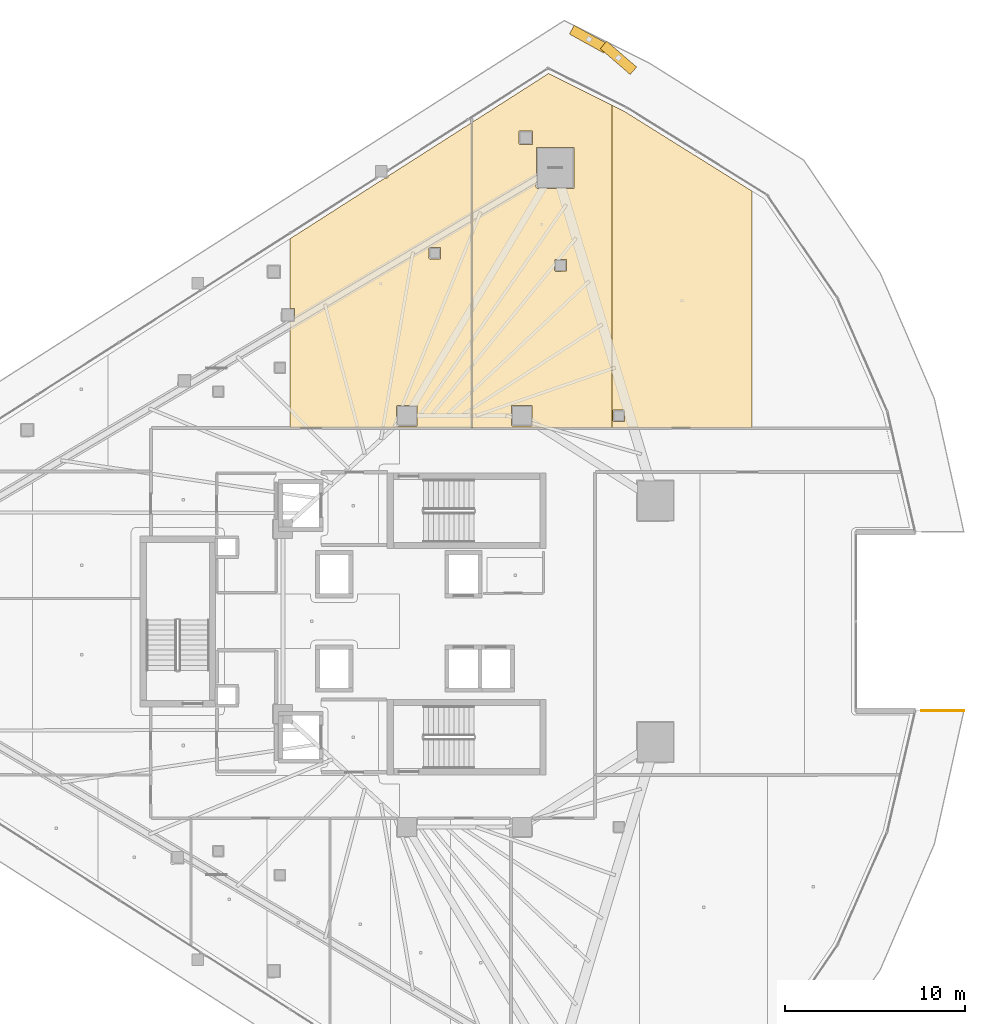
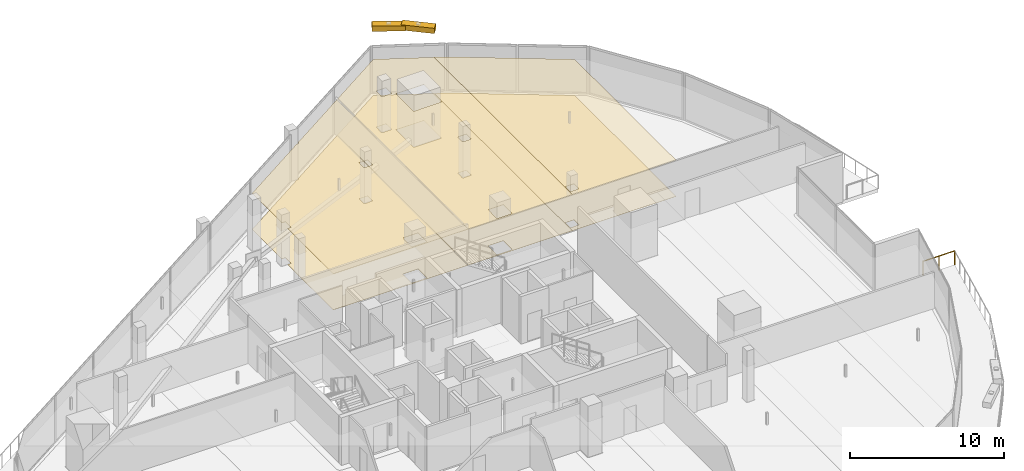
# One storey, part 45 of 45: 6 coverings, 2 shading devices, 1 railing.
"""IFC4 building model written with IfcOpenShell, lengths in metres."""

from ifc_helpers import new_model, si_unit, direction, frame, origin, origin_2d, place, context, subcontext, project, spatial, polyline, rectangle, circle, outline, extrude, material, layer, layer_set, type_object, element, save


model = new_model("IFC4")

# Units and contexts
model_context = context("Model", 3, precision=1e-05, world=origin(), true_north=direction((0.0, 1.0)))
body_context = subcontext(model_context, "Body", "Model", "MODEL_VIEW")
ifc_project = project(units=[si_unit("LENGTHUNIT", "METRE"), si_unit("AREAUNIT", "SQUARE_METRE"), si_unit("VOLUMEUNIT", "CUBIC_METRE"), si_unit("PLANEANGLEUNIT", "RADIAN"), si_unit("MASSUNIT", "GRAM", prefix="KILO")], contexts=[model_context])

# Site, building, storey
site_placement = place(None, origin())
site = spatial("IfcSite", under=ifc_project, at=site_placement, CompositionType="ELEMENT")
building_placement = place(site_placement, origin())
building = spatial("IfcBuilding", under=site, at=building_placement, Name="Qorvath Tower", CompositionType="ELEMENT")
storey_placement = place(building_placement, frame((0.0, 0.0, 126.0)))
storey = spatial("IfcBuildingStorey", under=building, at=storey_placement, Name="L28", CompositionType="ELEMENT", Elevation=126.0)

# Coverings
ifc_material_1 = material(Name="Acoustic mineral fibre ceiling tile", Category="gypsum")
ifc_layer_1 = layer(ifc_material_1, 0.030029296875)
ifc_layer_set_1 = layer_set([ifc_layer_1], Name="COV-CEIL")
covering_type_1 = type_object("IfcCoveringType", Name="COV-CEIL", PredefinedType="CEILING", material=ifc_layer_set_1)
covering_1_placement = place(storey_placement, frame((0.0, 0.0, 2.85009765625)))
element("IfcCovering", 1, at=covering_1_placement, inside=storey, type_object=covering_type_1, Name="L28 Suspended Acoustic Ceiling 011", PredefinedType="CEILING", context=body_context, shape_type="SweptSolid", body=[
    extrude(outline(polyline([(-19.99755859375, 10.762939453125), (-19.99755859375, 27.763671875), (-24.652587890625, 24.78857421875), (-24.670166015625, 24.69140625), (-24.83203125, 24.673828125), (-30.1201171875, 21.294189453125), (-30.1201171875, 17.427001953125), (-29.857421875, 17.427001953125), (-29.857421875, 16.692138671875), (-30.1201171875, 16.685546875), (-30.1201171875, 10.762939453125), (-19.99755859375, 10.762939453125)]), holes=[polyline([(-22.38818359375, 20.219970703125), (-22.37060546875, 20.812255859375), (-21.73583984375, 20.812255859375), (-21.73583984375, 20.177490234375), (-22.328125, 20.159912109375), (-22.38818359375, 20.219970703125)]), polyline([(-24.18505859375, 10.925048828125), (-24.16748046875, 12.017333984375), (-23.032470703125, 12.017333984375), (-23.032470703125, 10.882568359375), (-24.125, 10.864990234375), (-24.18505859375, 10.925048828125)])]), origin(), (0.0, 0.0, 1.0), 0.030029296875),
])
covering_2_placement = place(storey_placement, frame((0.0, 0.0, 2.85009765625)))
element("IfcCovering", 2, at=covering_2_placement, inside=storey, type_object=covering_type_1, Name="L28 Suspended Acoustic Ceiling 012", PredefinedType="CEILING", context=body_context, shape_type="SweptSolid", body=[
    extrude(outline(polyline([(-12.185791015625, 10.762939453125), (-12.185791015625, 28.728759765625), (-15.721435546875, 30.49658203125), (-19.979736328125, 27.775146484375), (-19.979736328125, 10.762939453125), (-12.185791015625, 10.762939453125)]), holes=[polyline([(-16.404296875, 24.14599609375), (-16.38671875, 26.388427734375), (-14.3017578125, 26.388427734375), (-14.3017578125, 24.103759765625), (-16.34423828125, 24.086181640625), (-16.404296875, 24.14599609375)]), polyline([(-15.381103515625, 19.543212890625), (-15.363525390625, 20.135498046875), (-14.728759765625, 20.135498046875), (-14.728759765625, 19.500732421875), (-15.321044921875, 19.483154296875), (-15.381103515625, 19.543212890625)]), polyline([(-17.3662109375, 26.604248046875), (-17.3486328125, 27.296630859375), (-16.61376953125, 27.296630859375), (-16.61376953125, 26.561767578125), (-17.30615234375, 26.544189453125), (-17.3662109375, 26.604248046875)]), polyline([(-17.784912109375, 10.925048828125), (-17.767333984375, 12.017333984375), (-16.632568359375, 12.017333984375), (-16.632568359375, 10.882568359375), (-17.72509765625, 10.864990234375), (-17.784912109375, 10.925048828125)])]), origin(), (0.0, 0.0, 1.0), 0.030029296875),
])
covering_3_placement = place(storey_placement, frame((0.0, 0.0, 2.85009765625)))
element("IfcCovering", 3, at=covering_3_placement, inside=storey, type_object=covering_type_1, Name="L28 Suspended Acoustic Ceiling 013", PredefinedType="CEILING", context=body_context, shape_type="SweptSolid", body=[
    extrude(outline(polyline([(-4.391845703125, 10.762939453125), (-4.391845703125, 23.95361328125), (-11.463134765625, 28.367431640625), (-12.185791015625, 28.728759765625), (-12.185791015625, 10.762939453125), (-4.391845703125, 10.762939453125)]), holes=[polyline([(-12.135009765625, 11.175048828125), (-12.117431640625, 11.767333984375), (-11.482666015625, 11.767333984375), (-11.482666015625, 11.132568359375), (-12.074951171875, 11.114990234375), (-12.135009765625, 11.175048828125)])]), origin(), (0.0, 0.0, 1.0), 0.030029296875),
])
ifc_material_2 = material(Name="Low-VOC modular carpet tile", Category="textile")
ifc_layer_2 = layer(ifc_material_2, 0.014892578125)
ifc_layer_set_2 = layer_set([ifc_layer_2], Name="COV-FLOOR-CPT")
covering_type_2 = type_object("IfcCoveringType", Name="COV-FLOOR-CPT", PredefinedType="FLOORING", material=ifc_layer_set_2)
covering_4_placement = place(storey_placement, origin())
element("IfcCovering", 4, at=covering_4_placement, inside=storey, type_object=covering_type_2, Name="L28 Floor Finish 011", PredefinedType="FLOORING", context=body_context, shape_type="SweptSolid", body=[
    extrude(outline(polyline([(-19.99755859375, 10.762939453125), (-19.99755859375, 27.763671875), (-24.652587890625, 24.78857421875), (-24.670166015625, 24.69140625), (-24.83203125, 24.673828125), (-30.1201171875, 21.294189453125), (-30.1201171875, 17.427001953125), (-29.857421875, 17.427001953125), (-29.857421875, 16.692138671875), (-30.1201171875, 16.685546875), (-30.1201171875, 10.762939453125), (-19.99755859375, 10.762939453125)]), holes=[polyline([(-22.38818359375, 20.219970703125), (-22.37060546875, 20.812255859375), (-21.73583984375, 20.812255859375), (-21.73583984375, 20.177490234375), (-22.328125, 20.159912109375), (-22.38818359375, 20.219970703125)]), polyline([(-24.18505859375, 10.925048828125), (-24.16748046875, 12.017333984375), (-23.032470703125, 12.017333984375), (-23.032470703125, 10.882568359375), (-24.125, 10.864990234375), (-24.18505859375, 10.925048828125)])]), origin(), (0.0, 0.0, 1.0), 0.014892578125),
])
covering_5_placement = place(storey_placement, origin())
element("IfcCovering", 5, at=covering_5_placement, inside=storey, type_object=covering_type_2, Name="L28 Floor Finish 012", PredefinedType="FLOORING", context=body_context, shape_type="SweptSolid", body=[
    extrude(outline(polyline([(-12.185791015625, 10.762939453125), (-12.185791015625, 28.728759765625), (-15.721435546875, 30.49658203125), (-19.979736328125, 27.775146484375), (-19.979736328125, 10.762939453125), (-12.185791015625, 10.762939453125)]), holes=[polyline([(-16.404296875, 24.14599609375), (-16.38671875, 26.388427734375), (-14.3017578125, 26.388427734375), (-14.3017578125, 24.103759765625), (-16.34423828125, 24.086181640625), (-16.404296875, 24.14599609375)]), polyline([(-15.381103515625, 19.543212890625), (-15.363525390625, 20.135498046875), (-14.728759765625, 20.135498046875), (-14.728759765625, 19.500732421875), (-15.321044921875, 19.483154296875), (-15.381103515625, 19.543212890625)]), polyline([(-17.3662109375, 26.604248046875), (-17.3486328125, 27.296630859375), (-16.61376953125, 27.296630859375), (-16.61376953125, 26.561767578125), (-17.30615234375, 26.544189453125), (-17.3662109375, 26.604248046875)]), polyline([(-17.784912109375, 10.925048828125), (-17.767333984375, 12.017333984375), (-16.632568359375, 12.017333984375), (-16.632568359375, 10.882568359375), (-17.72509765625, 10.864990234375), (-17.784912109375, 10.925048828125)])]), origin(), (0.0, 0.0, 1.0), 0.014892578125),
])
covering_6_placement = place(storey_placement, origin())
element("IfcCovering", 6, at=covering_6_placement, inside=storey, type_object=covering_type_2, Name="L28 Floor Finish 013", PredefinedType="FLOORING", context=body_context, shape_type="SweptSolid", body=[
    extrude(outline(polyline([(-4.391845703125, 10.762939453125), (-4.391845703125, 23.95361328125), (-11.463134765625, 28.367431640625), (-12.185791015625, 28.728759765625), (-12.185791015625, 10.762939453125), (-4.391845703125, 10.762939453125)]), holes=[polyline([(-12.135009765625, 11.175048828125), (-12.117431640625, 11.767333984375), (-11.482666015625, 11.767333984375), (-11.482666015625, 11.132568359375), (-12.074951171875, 11.114990234375), (-12.135009765625, 11.175048828125)])]), origin(), (0.0, 0.0, 1.0), 0.014892578125),
])

# Railing
ifc_material_3 = material(Name="Laminated safety glass and stainless steel AISI 316", Category="steel")
railing_type = type_object("IfcRailingType", Name="RL-EXT-GRD", PredefinedType="GUARDRAIL", material=ifc_material_3)
railing_placement = place(storey_placement, frame((5.048583984375, -4.968017578125, 0.0)))
element("IfcRailing", 7, at=railing_placement, inside=storey, type_object=railing_type, Name="Loggia Perimeter Guardrail L28-1.2", PredefinedType="GUARDRAIL", context=body_context, shape_type="SweptSolid", body=[
    extrude(circle(Radius=0.02392578125, at=origin_2d()), frame((0.0, 0.0, 1.09619140625), z_axis=(1.0, 0.0, 0.0), x_axis=(0.0, 1.0, 0.0)), (0.0, 0.0, 1.0), 2.366455078125),
    extrude(circle(Radius=0.02099609375, at=origin_2d()), origin(), (0.0, 0.0, 1.0), 1.072021484375),
    extrude(circle(Radius=0.02099609375, at=origin_2d()), frame((1.18310546875, 0.0, 0.0)), (0.0, 0.0, 1.0), 1.072021484375),
    extrude(circle(Radius=0.02099609375, at=origin_2d()), frame((2.366455078125, 0.0, 0.0)), (0.0, 0.0, 1.0), 1.072021484375),
])

# Shading devices
ifc_material_4 = material(Name="Anodised bronze-champagne aluminium", Category="aluminium")
shading_device_type = type_object("IfcShadingDeviceType", Name="SD-LOUVRE", PredefinedType="JALOUSIE", material=ifc_material_4)
for number, where, z_axis, x_axis, name in (
    (8, (-11.827392578125, 31.37255859375, 3.35009765625), (0.0, 0.0, 1.0), (-0.757553591462, 0.652772974367, 0.0), "Sinusoidal Wave Louvre Blade L28-05"),
    (9, (-13.46142578125, 32.406005859375, 3.35009765625), (0.0, 0.0, 1.0), (-0.874929220455, 0.484250822605, 0.0), "Sinusoidal Wave Louvre Blade L28-06"),
):
    element("IfcShadingDevice", number, at=place(storey_placement, frame(where, z_axis=z_axis, x_axis=x_axis)), inside=storey, type_object=shading_device_type, Name=name, PredefinedType="NOTDEFINED", context=body_context, shape_type="SweptSolid", body=[
        extrude(rectangle(XDim=2.199951171875, YDim=0.550048828125, at=origin_2d()), origin(), (0.0, 0.0, 1.0), 0.419921875),
    ])

save(model, "model.ifc")
